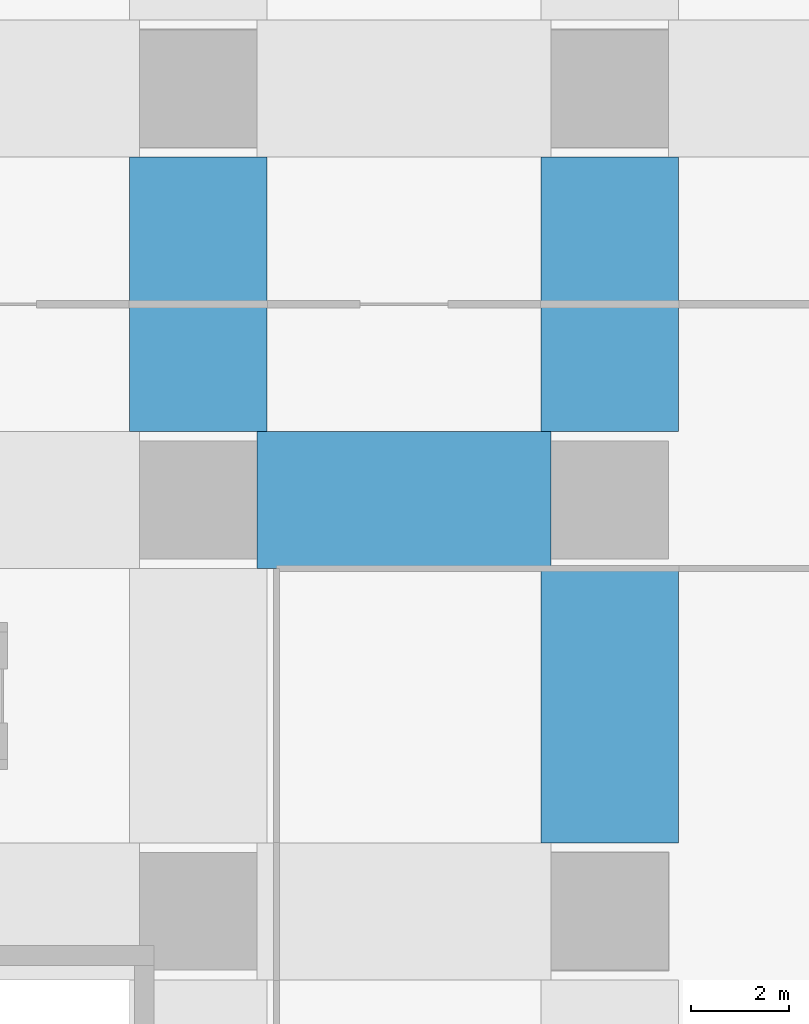
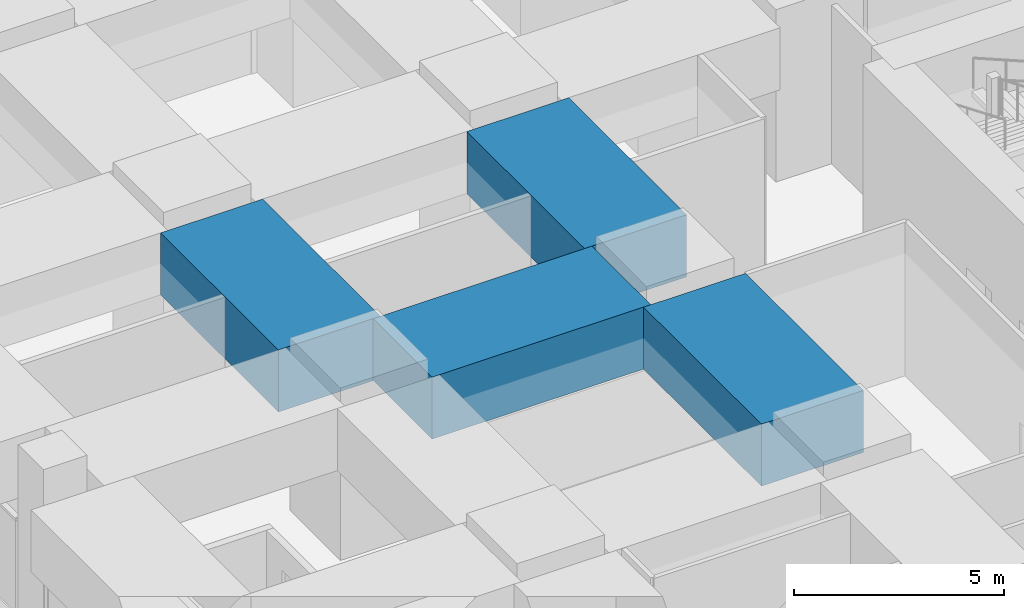
# One storey, part 20 of 52: 4 beams.
"""IFC4 building model written with IfcOpenShell, lengths in metres."""

from ifc_helpers import new_model, si_unit, direction, frame, origin, origin_2d, place, context, subcontext, project, spatial, rectangle, extrude, material, material_profile, profile_set, type_object, element, save


model = new_model("IFC4")

# Units and contexts
model_context = context("Model", 3, precision=1e-05, world=origin(), true_north=direction((0.0, 1.0)))
body_context = subcontext(model_context, "Body", "Model", "MODEL_VIEW")
ifc_project = project(units=[si_unit("LENGTHUNIT", "METRE"), si_unit("AREAUNIT", "SQUARE_METRE"), si_unit("VOLUMEUNIT", "CUBIC_METRE"), si_unit("PLANEANGLEUNIT", "RADIAN"), si_unit("MASSUNIT", "GRAM", prefix="KILO")], contexts=[model_context])

# Site, building, storey
site_placement = place(None, origin())
site = spatial("IfcSite", under=ifc_project, at=site_placement, CompositionType="ELEMENT")
building_placement = place(site_placement, origin())
building = spatial("IfcBuilding", under=site, at=building_placement, Name="Rekha Terrace Tower", CompositionType="ELEMENT")
storey_placement = place(building_placement, frame((0.0, 0.0, 20.39990234375)))
storey = spatial("IfcBuildingStorey", under=building, at=storey_placement, Name="L04", CompositionType="ELEMENT", Elevation=20.39990234375)

# Beams
ifc_material = material(Name="Concrete M70", Category="concrete")
ifc_material_profile = material_profile(ifc_material, rectangle(XDim=2.800048828125, YDim=1.800048828125, at=origin_2d()), Name="RC 2800x1800")
ifc_profile_set = profile_set([ifc_material_profile], Name="Concrete M70")
beam_type = type_object("IfcBeamType", Name="G2 2800x1800 podium roof band beam", PredefinedType="BEAM", material=ifc_profile_set)
beam_placement = place(storey_placement, frame((9.60009765625, 42.0, 3.7001953125), z_axis=(1.0, 0.0, 0.0), x_axis=(0.0, 1.0, 0.0)))
element("IfcBeam", 1, at=beam_placement, inside=storey, type_object=beam_type, Name="Beam G2 2F-3F under L05", PredefinedType="BEAM", context=body_context, shape_type="SweptSolid", body=[
    extrude(rectangle(XDim=2.800048828125, YDim=1.800048828125, at=origin_2d()), origin(), (0.0, 0.0, 1.0), 6.0),
])
for number, where, z_axis, x_axis, name in (
    (2, (8.39990234375, 43.39990234375, 3.7001953125), (0.0, 1.0, 0.0), (-1.0, 0.0, 0.0), "Beam G2 2F-2G under L05"),
    (3, (16.800048828125, 35.0, 3.7001953125), (0.0, 1.0, 0.0), (-1.0, 0.0, 0.0), "Beam G2 3E-3F under L05"),
    (4, (16.800048828125, 43.39990234375, 3.7001953125), (0.0, 1.0, 0.0), (-1.0, 0.0, 0.0), "Beam G2 3F-3G under L05"),
):
    element("IfcBeam", number, at=place(storey_placement, frame(where, z_axis=z_axis, x_axis=x_axis)), inside=storey, type_object=beam_type, Name=name, PredefinedType="BEAM", context=body_context, shape_type="SweptSolid", body=[
        extrude(rectangle(XDim=2.800048828125, YDim=1.800048828125, at=origin_2d()), origin(), (0.0, 0.0, 1.0), 5.60009765625),
    ])

save(model, "model.ifc")
